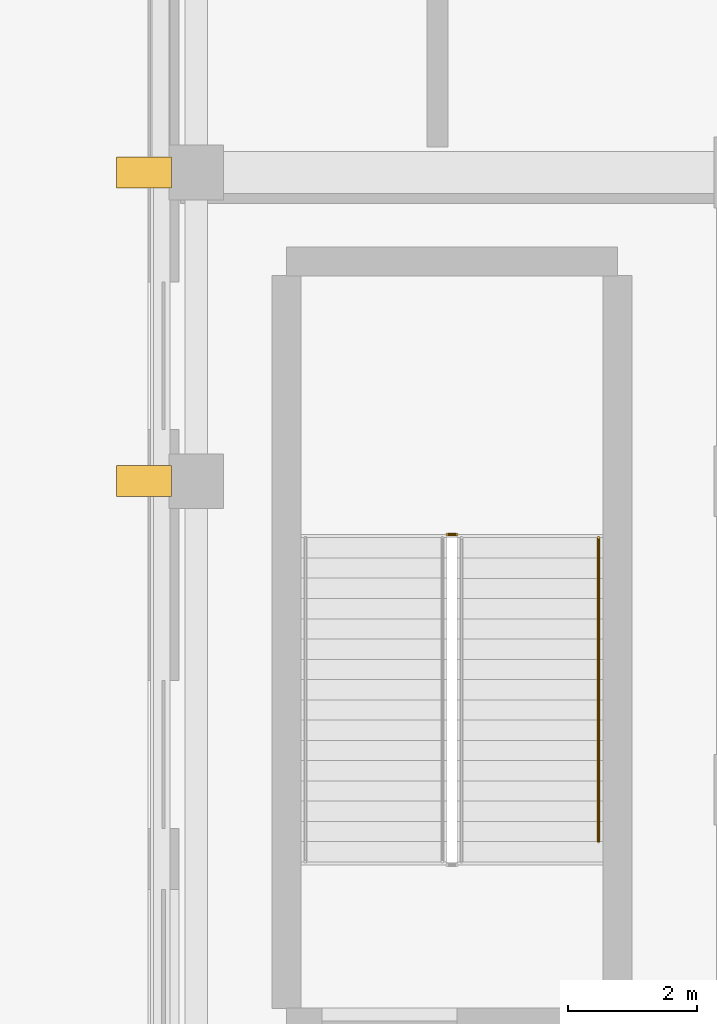
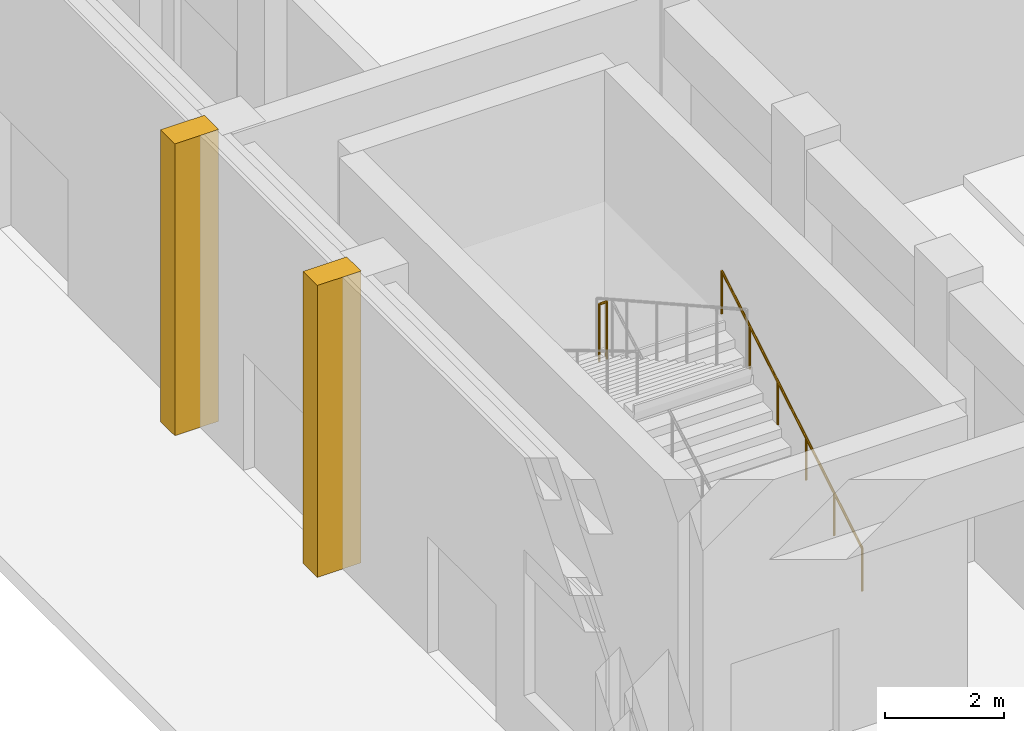
# One storey, part 70 of 87: 2 coverings, 2 railings.
"""IFC4 building model written with IfcOpenShell, lengths in metres."""

from ifc_helpers import new_model, si_unit, direction, frame, origin, origin_2d, place, context, subcontext, project, spatial, rectangle, circle, extrude, material, layer, layer_set, type_object, element, save


model = new_model("IFC4")

# Units and contexts
model_context = context("Model", 3, precision=1e-05, world=origin(), true_north=direction((0.0, 1.0)))
body_context = subcontext(model_context, "Body", "Model", "MODEL_VIEW")
ifc_project = project(units=[si_unit("LENGTHUNIT", "METRE"), si_unit("AREAUNIT", "SQUARE_METRE"), si_unit("VOLUMEUNIT", "CUBIC_METRE"), si_unit("PLANEANGLEUNIT", "RADIAN"), si_unit("MASSUNIT", "GRAM", prefix="KILO")], contexts=[model_context])

# Site, building, storey
site_placement = place(None, origin())
site = spatial("IfcSite", under=ifc_project, at=site_placement, CompositionType="ELEMENT")
building_placement = place(site_placement, origin())
building = spatial("IfcBuilding", under=site, at=building_placement, Name="Nakhvara Creek Congress Hotel", CompositionType="ELEMENT")
storey_placement = place(building_placement, origin())
storey = spatial("IfcBuildingStorey", under=building, at=storey_placement, Name="L00", CompositionType="ELEMENT", Elevation=0.0)

# Coverings
ifc_material_1 = material(Name="Honed pale Omani limestone architectural cladding", Category="masonry")
ifc_layer = layer(ifc_material_1, 0.449951171875)
ifc_layer_set = layer_set([ifc_layer], Name="Honed pale Omani limestone architectural cladding")
covering_type = type_object("IfcCoveringType", Name="COV-BUTT-850", PredefinedType="CLADDING", material=ifc_layer_set)
for number, where, z_axis, x_axis, name in (
    (1, (-0.06494140625, 81.60009765625, 0.0), (0.0, 0.0, 1.0), (0.0, 1.0, 0.0), "Gothic Limestone Buttress Pier CF03-0404"),
    (2, (-0.06494140625, 86.39990234375, 0.0), (0.0, 0.0, 1.0), (0.0, 1.0, 0.0), "Gothic Limestone Buttress Pier CF03-0405"),
):
    element("IfcCovering", number, at=place(storey_placement, frame(where, z_axis=z_axis, x_axis=x_axis)), inside=storey, type_object=covering_type, Name=name, PredefinedType="CLADDING", context=body_context, shape_type="SweptSolid", body=[
        extrude(rectangle(XDim=0.47998046875, YDim=0.85009765625, at=origin_2d()), origin(), (0.0, 0.0, 1.0), 6.0),
    ])

# Railings
ifc_material_2 = material(Name="Brushed stainless steel 316L", Category="steel")
railing_type_1 = type_object("IfcRailingType", Name="RL-GUARD-1200", PredefinedType="GUARDRAIL", material=ifc_material_2)
railing_1_placement = place(storey_placement, frame((4.800048828125, 80.77001953125, 3.0)))
element("IfcRailing", 3, at=railing_1_placement, inside=storey, type_object=railing_type_1, Name="L00 ST07 stair guard 2", PredefinedType="GUARDRAIL", context=body_context, shape_type="SweptSolid", body=[
    extrude(circle(Radius=0.02392578125, at=origin_2d()), frame((-0.0146484375, 0.0, 1.17578125), z_axis=(-1.0, 0.0, 0.0), x_axis=(0.0, -1.0, 0.0)), (0.0, 0.0, 1.0), 0.120849609375),
    extrude(circle(Radius=0.02099609375, at=origin_2d()), origin(), (0.0, 0.0, 1.0), 1.1806640625),
    extrude(circle(Radius=0.02099609375, at=origin_2d()), frame((-0.150146484375, 0.0, 0.0)), (0.0, 0.0, 1.0), 1.1806640625),
])
railing_type_2 = type_object("IfcRailingType", Name="RL-HAND-900", PredefinedType="HANDRAIL", material=ifc_material_2)
railing_2_placement = place(storey_placement, frame((7.0048828125, 75.9951171875, 0.35302734375)))
element("IfcRailing", 4, at=railing_2_placement, inside=storey, type_object=railing_type_2, Name="L00 ST07 stair handrail 1", PredefinedType="HANDRAIL", context=body_context, shape_type="SweptSolid", body=[
    extrude(circle(Radius=0.02392578125, at=origin_2d()), frame((0.0, 0.0126953125, 0.88330078125), z_axis=(0.0, 0.857528110924, 0.514437108863), x_axis=(-1.0, 0.0, 0.0)), (0.0, 0.0, 1.0), 5.48046875),
    extrude(circle(Radius=0.02099609375, at=origin_2d()), origin(), (0.0, 0.0, 1.0), 0.880615234375),
    extrude(circle(Radius=0.02099609375, at=origin_2d()), frame((0.0, 0.945068359375, 0.56689453125)), (0.0, 0.0, 1.0), 0.880615234375),
    extrude(circle(Radius=0.02099609375, at=origin_2d()), frame((0.0, 1.889892578125, 1.1337890625)), (0.0, 0.0, 1.0), 0.880615234375),
    extrude(circle(Radius=0.02099609375, at=origin_2d()), frame((0.0, 2.8349609375, 1.70068359375)), (0.0, 0.0, 1.0), 0.880615234375),
    extrude(circle(Radius=0.02099609375, at=origin_2d()), frame((0.0, 3.77978515625, 2.267578125)), (0.0, 0.0, 1.0), 0.880615234375),
    extrude(circle(Radius=0.02099609375, at=origin_2d()), frame((0.0, 4.724853515625, 2.83447265625)), (0.0, 0.0, 1.0), 0.880615234375),
])

save(model, "model.ifc")
